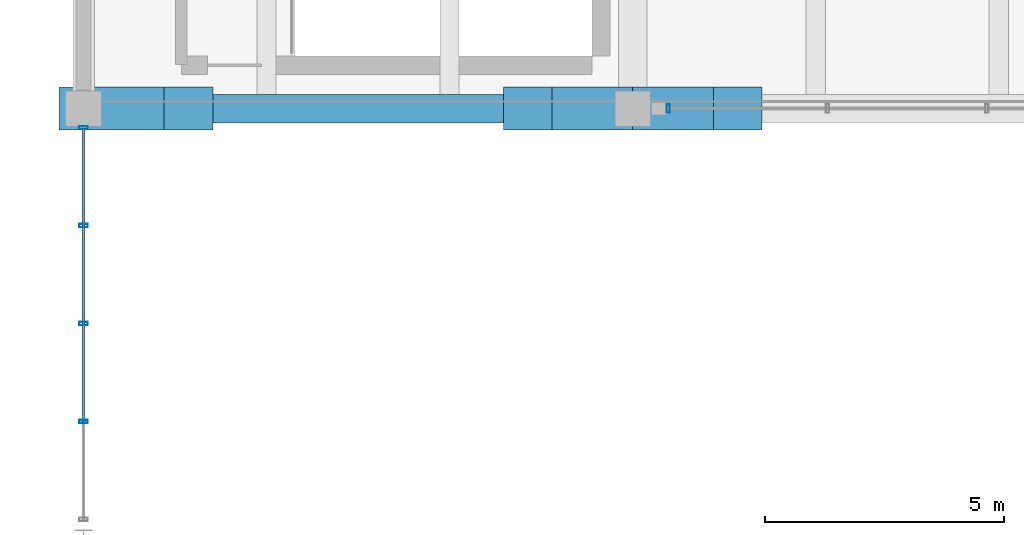
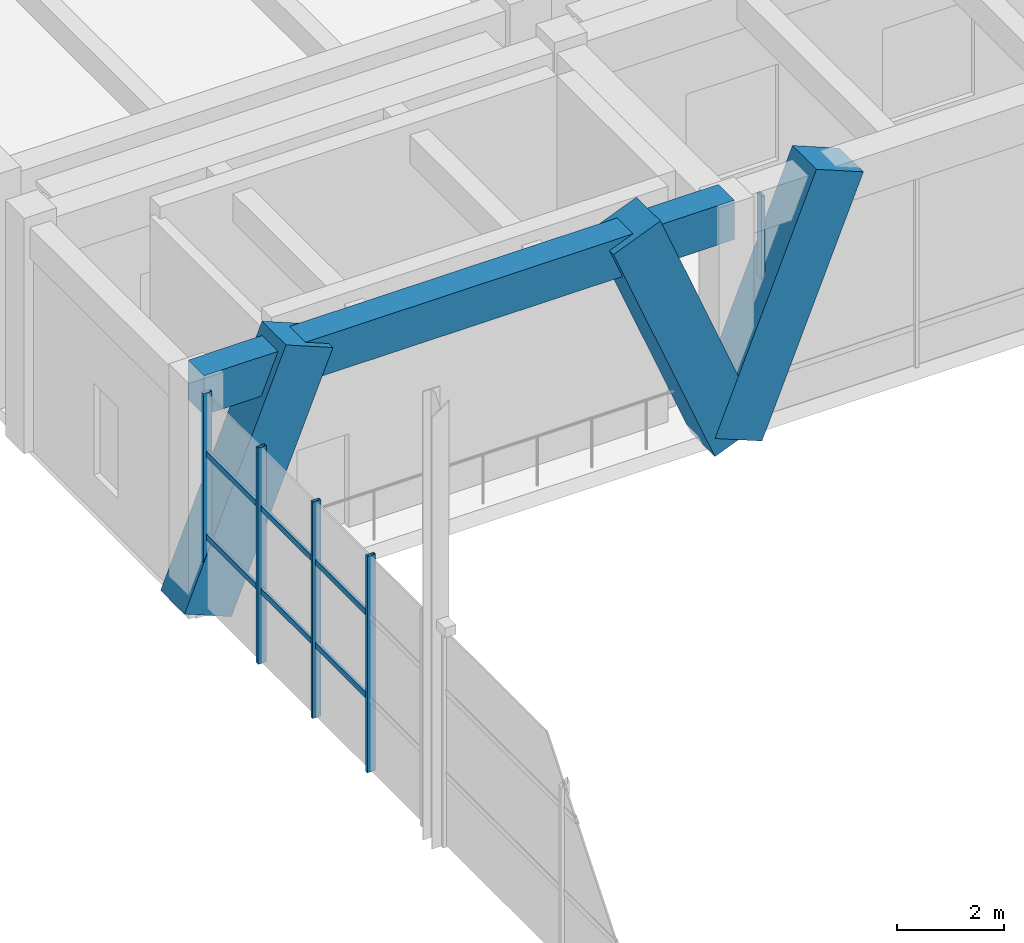
# One storey, part 47 of 148: 14 members, 1 beam, 2 elements without a shape of their own.
"""IFC4 building model written with IfcOpenShell, lengths in metres."""

from ifc_helpers import new_model, si_unit, direction, frame, origin, origin_2d, place, context, subcontext, project, spatial, rectangle, hollow_rectangle, extrude, material, material_profile, profile_set, type_object, element, aggregate, save


model = new_model("IFC4")

# Units and contexts
model_context = context("Model", 3, precision=1e-05, world=origin(), true_north=direction((0.0, 1.0)))
body_context = subcontext(model_context, "Body", "Model", "MODEL_VIEW")
ifc_project = project(units=[si_unit("LENGTHUNIT", "METRE"), si_unit("AREAUNIT", "SQUARE_METRE"), si_unit("VOLUMEUNIT", "CUBIC_METRE"), si_unit("PLANEANGLEUNIT", "RADIAN"), si_unit("MASSUNIT", "GRAM", prefix="KILO")], contexts=[model_context])

# Site, building, storey
site_placement = place(None, origin())
site = spatial("IfcSite", under=ifc_project, at=site_placement, CompositionType="ELEMENT")
building_placement = place(site_placement, origin())
building = spatial("IfcBuilding", under=site, at=building_placement, Name="Ologun Quay Terminus", CompositionType="ELEMENT")
storey_placement = place(building_placement, frame((0.0, 0.0, 8.39990234375)))
storey = spatial("IfcBuildingStorey", under=building, at=storey_placement, Name="L02", CompositionType="ELEMENT", Elevation=8.39990234375)

# Curtain wall, member
ifc_material_1 = material(Name="Aluminium 6063-T6", Category="aluminium")
curtain_wall_type_1 = type_object("IfcCurtainWallType", Name="Train Shed North Clerestory Curtain Wall 10700x4850", PredefinedType="USERDEFINED", material=ifc_material_1)
curtain_wall_1_placement = place(storey_placement, origin())
curtain_wall_1 = element("IfcCurtainWall", 1, at=curtain_wall_1_placement, inside=storey, type_object=curtain_wall_type_1, Name="CW-09 Curtain Wall CW-L02-047", ObjectType="UNITISED CURTAIN WALL", PredefinedType="USERDEFINED")
ifc_material_2 = material(Name="Aluminium 6063-T6", Category="aluminium")
ifc_material_profile_1 = material_profile(ifc_material_2, hollow_rectangle(XDim=0.070068359375, YDim=0.179931640625, WallThickness=0.0048828125, at=origin_2d()), Name="ALU 180x70x5")
ifc_profile_set_1 = profile_set([ifc_material_profile_1], Name="Aluminium 6063-T6")
member_type_1 = type_object("IfcMemberType", Name="Concourse Clerestory Mullion 180x70", PredefinedType="MULLION", material=ifc_profile_set_1)
member_1_placement = place(storey_placement, frame((12.2451171875, 78.0, 0.0), z_axis=(0.0, 0.0, 1.0), x_axis=(1.0, 0.0, 0.0)))
member_1 = element("IfcMember", 2, at=member_1_placement, type_object=member_type_1, Name="CW-L02-047 Mullion 1", PredefinedType="MULLION", context=body_context, shape_type="SweptSolid", body=[
    extrude(hollow_rectangle(XDim=0.070068359375, YDim=0.179931640625, WallThickness=0.0048828125, at=origin_2d()), origin(), (0.0, 0.0, 1.0), 5.10009765625),
])
aggregate(curtain_wall_1, [member_1])

# Curtain wall, members
ifc_material_3 = material(Name="Aluminium 6063-T6", Category="aluminium")
curtain_wall_type_2 = type_object("IfcCurtainWallType", Name="Train Shed Gable Arch Screen 13500x4900", PredefinedType="USERDEFINED", material=ifc_material_3)
curtain_wall_2_placement = place(storey_placement, origin())
curtain_wall_2 = element("IfcCurtainWall", 3, at=curtain_wall_2_placement, inside=storey, type_object=curtain_wall_type_2, Name="CW-10 Curtain Wall CW-GBL-W3", ObjectType="UNITISED CURTAIN WALL", PredefinedType="USERDEFINED")
member_2_placement = place(storey_placement, frame((0.0, 71.449951171875, 0.14013671875), z_axis=(0.0, 0.0, 1.0), x_axis=(0.0, 1.0, 0.0)))
member_2 = element("IfcMember", 4, at=member_2_placement, type_object=member_type_1, Name="CW-GBL-W3 Mullion 2", PredefinedType="MULLION", context=body_context, shape_type="SweptSolid", body=[
    extrude(hollow_rectangle(XDim=0.070068359375, YDim=0.179931640625, WallThickness=0.0048828125, at=origin_2d()), origin(), (0.0, 0.0, 1.0), 4.9599609375),
])
member_3_placement = place(storey_placement, frame((0.0, 73.5, 0.14013671875), z_axis=(0.0, 0.0, 1.0), x_axis=(0.0, 1.0, 0.0)))
member_3 = element("IfcMember", 5, at=member_3_placement, type_object=member_type_1, Name="CW-GBL-W3 Mullion 3", PredefinedType="MULLION", context=body_context, shape_type="SweptSolid", body=[
    extrude(hollow_rectangle(XDim=0.070068359375, YDim=0.179931640625, WallThickness=0.0048828125, at=origin_2d()), origin(), (0.0, 0.0, 1.0), 4.9599609375),
])
member_4_placement = place(storey_placement, frame((0.0, 75.550048828125, 0.14013671875), z_axis=(0.0, 0.0, 1.0), x_axis=(0.0, 1.0, 0.0)))
member_4 = element("IfcMember", 6, at=member_4_placement, type_object=member_type_1, Name="CW-GBL-W3 Mullion 4", PredefinedType="MULLION", context=body_context, shape_type="SweptSolid", body=[
    extrude(hollow_rectangle(XDim=0.070068359375, YDim=0.179931640625, WallThickness=0.0048828125, at=origin_2d()), origin(), (0.0, 0.0, 1.0), 4.9599609375),
])
member_5_placement = place(storey_placement, frame((0.0, 77.60009765625, 0.14013671875), z_axis=(0.0, 0.0, 1.0), x_axis=(0.0, 1.0, 0.0)))
member_5 = element("IfcMember", 7, at=member_5_placement, type_object=member_type_1, Name="CW-GBL-W3 Mullion 5", PredefinedType="MULLION", context=body_context, shape_type="SweptSolid", body=[
    extrude(hollow_rectangle(XDim=0.070068359375, YDim=0.179931640625, WallThickness=0.0048828125, at=origin_2d()), origin(), (0.0, 0.0, 1.0), 4.9599609375),
])
ifc_material_4 = material(Name="Aluminium 6063-T6", Category="aluminium")
ifc_material_profile_2 = material_profile(ifc_material_4, hollow_rectangle(XDim=0.06005859375, YDim=0.1298828125, WallThickness=0.00390625, at=origin_2d()), Name="ALU 130x60x4")
ifc_profile_set_2 = profile_set([ifc_material_profile_2], Name="Aluminium 6063-T6")
member_type_2 = type_object("IfcMemberType", Name="Concourse Clerestory Transom 130x60", PredefinedType="USERDEFINED", material=ifc_profile_set_2)
member_6_placement = place(storey_placement, frame((0.0, 71.449951171875, 1.800048828125), z_axis=(0.0, 1.0, 0.0), x_axis=(-1.0, 0.0, 0.0)))
member_6 = element("IfcMember", 8, at=member_6_placement, type_object=member_type_2, Name="CW-GBL-W3 Transom B2-1", ObjectType="TRANSOM", PredefinedType="USERDEFINED", context=body_context, shape_type="SweptSolid", body=[
    extrude(hollow_rectangle(XDim=0.06005859375, YDim=0.1298828125, WallThickness=0.00390625, at=origin_2d()), origin(), (0.0, 0.0, 1.0), 2.050048828125),
])
member_7_placement = place(storey_placement, frame((0.0, 71.449951171875, 3.7001953125), z_axis=(0.0, 1.0, 0.0), x_axis=(-1.0, 0.0, 0.0)))
member_7 = element("IfcMember", 9, at=member_7_placement, type_object=member_type_2, Name="CW-GBL-W3 Transom B2-2", ObjectType="TRANSOM", PredefinedType="USERDEFINED", context=body_context, shape_type="SweptSolid", body=[
    extrude(hollow_rectangle(XDim=0.06005859375, YDim=0.1298828125, WallThickness=0.00390625, at=origin_2d()), origin(), (0.0, 0.0, 1.0), 2.050048828125),
])
member_8_placement = place(storey_placement, frame((0.0, 73.5, 1.800048828125), z_axis=(0.0, 1.0, 0.0), x_axis=(-1.0, 0.0, 0.0)))
member_8 = element("IfcMember", 10, at=member_8_placement, type_object=member_type_2, Name="CW-GBL-W3 Transom B3-1", ObjectType="TRANSOM", PredefinedType="USERDEFINED", context=body_context, shape_type="SweptSolid", body=[
    extrude(hollow_rectangle(XDim=0.06005859375, YDim=0.1298828125, WallThickness=0.00390625, at=origin_2d()), origin(), (0.0, 0.0, 1.0), 2.050048828125),
])
member_9_placement = place(storey_placement, frame((0.0, 73.5, 3.7001953125), z_axis=(0.0, 1.0, 0.0), x_axis=(-1.0, 0.0, 0.0)))
member_9 = element("IfcMember", 11, at=member_9_placement, type_object=member_type_2, Name="CW-GBL-W3 Transom B3-2", ObjectType="TRANSOM", PredefinedType="USERDEFINED", context=body_context, shape_type="SweptSolid", body=[
    extrude(hollow_rectangle(XDim=0.06005859375, YDim=0.1298828125, WallThickness=0.00390625, at=origin_2d()), origin(), (0.0, 0.0, 1.0), 2.050048828125),
])
member_10_placement = place(storey_placement, frame((0.0, 75.550048828125, 1.800048828125), z_axis=(0.0, 1.0, 0.0), x_axis=(-1.0, 0.0, 0.0)))
member_10 = element("IfcMember", 12, at=member_10_placement, type_object=member_type_2, Name="CW-GBL-W3 Transom B4-1", ObjectType="TRANSOM", PredefinedType="USERDEFINED", context=body_context, shape_type="SweptSolid", body=[
    extrude(hollow_rectangle(XDim=0.06005859375, YDim=0.1298828125, WallThickness=0.00390625, at=origin_2d()), origin(), (0.0, 0.0, 1.0), 2.050048828125),
])
member_11_placement = place(storey_placement, frame((0.0, 75.550048828125, 3.7001953125), z_axis=(0.0, 1.0, 0.0), x_axis=(-1.0, 0.0, 0.0)))
member_11 = element("IfcMember", 13, at=member_11_placement, type_object=member_type_2, Name="CW-GBL-W3 Transom B4-2", ObjectType="TRANSOM", PredefinedType="USERDEFINED", context=body_context, shape_type="SweptSolid", body=[
    extrude(hollow_rectangle(XDim=0.06005859375, YDim=0.1298828125, WallThickness=0.00390625, at=origin_2d()), origin(), (0.0, 0.0, 1.0), 2.050048828125),
])
aggregate(curtain_wall_2, [member_2, member_3, member_4, member_5, member_6, member_7, member_8, member_9, member_10, member_11])

# Members
ifc_material_5 = material(Name="Concrete C45/55", Category="concrete")
ifc_material_profile_3 = material_profile(ifc_material_5, rectangle(XDim=0.89990234375, YDim=1.10009765625, at=origin_2d()), Name="RC 900x1100")
ifc_profile_set_3 = profile_set([ifc_material_profile_3], Name="Concrete C45/55")
member_type_3 = type_object("IfcMemberType", Name="Sculpted Concrete Arch V-Buttress Strut 900x1100", PredefinedType="STRUT", material=ifc_profile_set_3)
for number, where, z_axis, x_axis, name in (
    (14, (0.0, 78.0, 0.0), (0.377280927807, 0.0, 0.926098861631), (0.0, 1.0, 0.0), "VS1 Arch V-Buttress East Limb 1/F"),
    (15, (11.5, 78.0, 0.0), (-0.377280927807, 0.0, 0.926098861631), (0.0, -1.0, 0.0), "VS1 Arch V-Buttress West Limb 2/F"),
    (16, (11.5, 78.0, 0.0), (0.377280927807, 0.0, 0.926098861631), (0.0, 1.0, 0.0), "VS1 Arch V-Buttress East Limb 2/F"),
):
    element("IfcMember", number, at=place(storey_placement, frame(where, z_axis=z_axis, x_axis=x_axis)), inside=storey, type_object=member_type_3, Name=name, PredefinedType="STRUT", context=body_context, shape_type="SweptSolid", body=[
        extrude(rectangle(XDim=0.89990234375, YDim=1.10009765625, at=origin_2d()), origin(), (0.0, 0.0, 1.0), 5.8310546875),
    ])

# Beam
ifc_material_6 = material(Name="Concrete C40/50", Category="concrete")
ifc_material_profile_4 = material_profile(ifc_material_6, rectangle(XDim=0.60009765625, YDim=0.89990234375, at=origin_2d()), Name="RC 600x900")
ifc_profile_set_4 = profile_set([ifc_material_profile_4], Name="Concrete C40/50")
beam_type = type_object("IfcBeamType", Name="Station Frame Girder 600x900", PredefinedType="BEAM", material=ifc_profile_set_4)
beam_placement = place(storey_placement, frame((0.0, 78.0, 4.9501953125), z_axis=(1.0, 0.0, 0.0), x_axis=(0.0, 1.0, 0.0)))
element("IfcBeam", 17, at=beam_placement, inside=storey, type_object=beam_type, Name="B3 Beam 1/F L02", PredefinedType="BEAM", context=body_context, shape_type="SweptSolid", body=[
    extrude(rectangle(XDim=0.60009765625, YDim=0.89990234375, at=origin_2d()), origin(), (0.0, 0.0, 1.0), 11.5),
])

save(model, "model.ifc")
